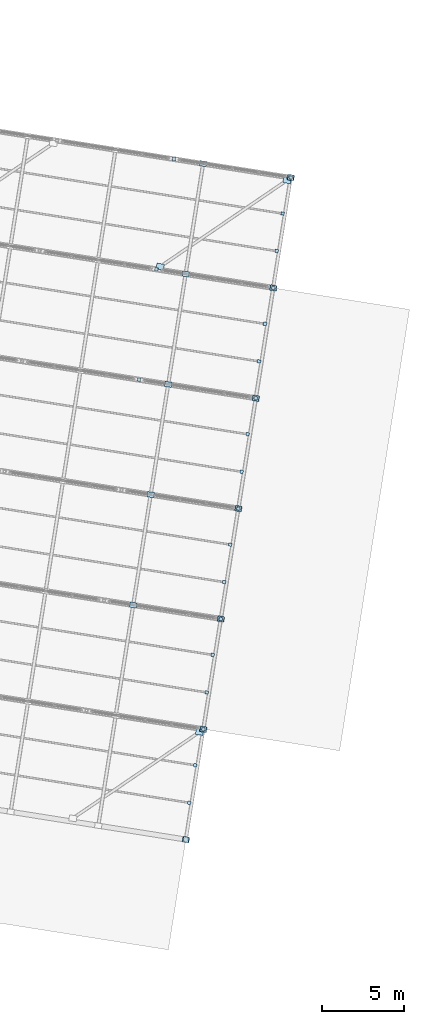
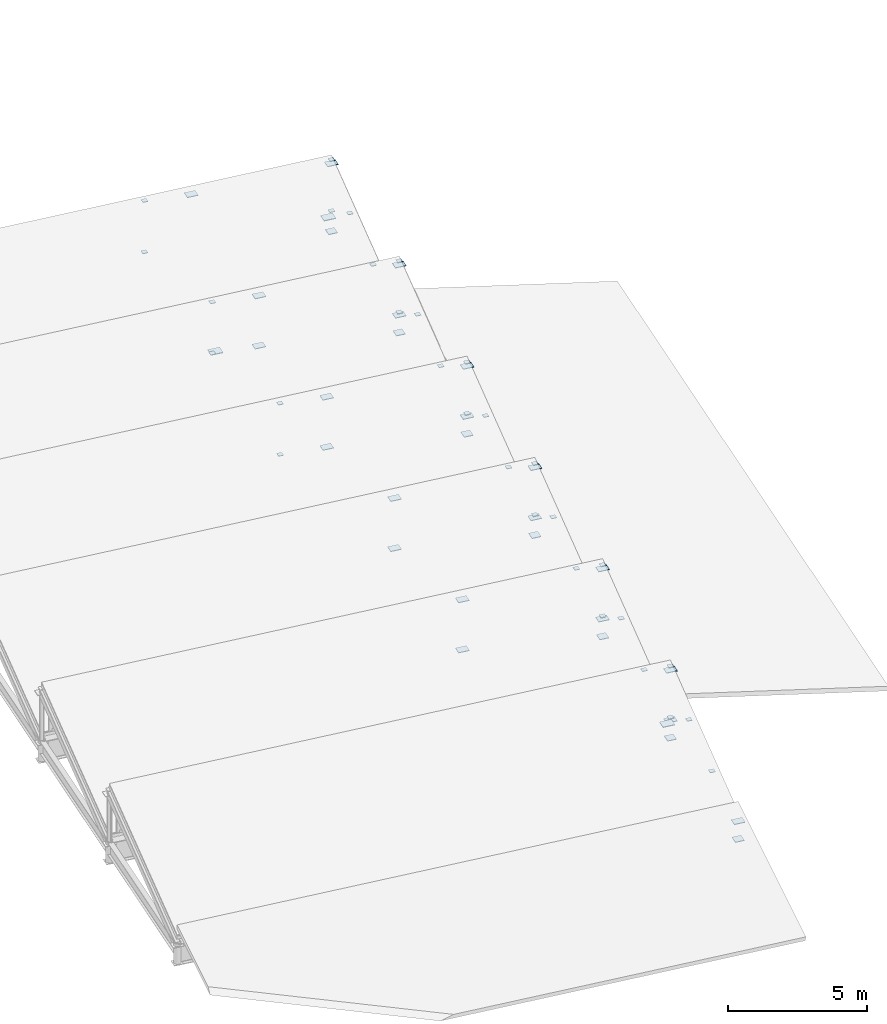
# One storey, part 63 of 65: 61 plates.
"""IFC4 building model written with IfcOpenShell, lengths in metres."""

from ifc_helpers import new_model, si_unit, direction, frame, origin, origin_2d, place, context, subcontext, project, spatial, rectangle, extrude, material, layer, layer_set, type_object, element, save


model = new_model("IFC4")

# Units and contexts
model_context = context("Model", 3, precision=1e-05, world=origin(), true_north=direction((0.0, 1.0)))
body_context = subcontext(model_context, "Body", "Model", "MODEL_VIEW")
ifc_project = project(units=[si_unit("LENGTHUNIT", "METRE"), si_unit("AREAUNIT", "SQUARE_METRE"), si_unit("VOLUMEUNIT", "CUBIC_METRE"), si_unit("PLANEANGLEUNIT", "RADIAN"), si_unit("MASSUNIT", "GRAM", prefix="KILO")], contexts=[model_context])

# Site, building, storey
site_placement = place(None, origin())
site = spatial("IfcSite", under=ifc_project, at=site_placement, CompositionType="ELEMENT")
building_placement = place(site_placement, origin())
building = spatial("IfcBuilding", under=site, at=building_placement, Name="Cinderway Yard Community Centre", CompositionType="ELEMENT")
storey_placement = place(building_placement, frame((0.0, 0.0, 24.300048828125)))
storey = spatial("IfcBuildingStorey", under=building, at=storey_placement, Name="RF", CompositionType="ELEMENT", Elevation=24.300048828125)

# Plates
ifc_material = material(Name="Steel S355", Category="steel")
ifc_layer_1 = layer(ifc_material, 0.02001953125, Name="Steel S355")
ifc_layer_set_1 = layer_set([ifc_layer_1], Name="Steel S355")
plate_type_1 = type_object("IfcPlateType", Name="STR-PLT-CAP200", PredefinedType="SHEET", material=ifc_layer_set_1)
for number, where, z_axis, x_axis, name in (
    (1, (140.39794921875, 41.3369140625, -10.510009765625), (0.0, 0.0, 1.0), (0.987688340595, -0.15643446504, 0.0), "Sawtooth post base B1-21"),
    (2, (140.39794921875, 41.3369140625, -8.260009765625), (0.0, 0.0, 1.0), (0.987688340595, -0.15643446504, 0.0), "Sawtooth post head B1-21"),
    (3, (139.537109375, 36.861083984375, -9.85400390625), (0.0, 0.0, 1.0), (0.987688340595, -0.15643446504, 0.0), "Purlin E cap B1-33"),
    (4, (139.89892578125, 39.14404296875, -9.10595703125), (0.0, 0.0, 1.0), (0.987688340595, -0.15643446504, 0.0), "Purlin E cap B1-67"),
    (5, (141.4619140625, 48.053955078125, -10.510009765625), (0.0, 0.0, 1.0), (0.987688340595, -0.15643446504, 0.0), "Sawtooth post base B2-21"),
    (6, (141.4619140625, 48.053955078125, -8.260009765625), (0.0, 0.0, 1.0), (0.987688340595, -0.15643446504, 0.0), "Sawtooth post head B2-21"),
    (7, (140.60107421875, 43.576904296875, -9.85400390625), (0.0, 0.0, 1.0), (0.987688340595, -0.15643446504, 0.0), "Purlin E cap B2-33"),
    (8, (140.9619140625, 45.861083984375, -9.10595703125), (0.0, 0.0, 1.0), (0.987688340595, -0.15643446504, 0.0), "Purlin E cap B2-67"),
    (9, (142.52490234375, 54.77001953125, -10.510009765625), (0.0, 0.0, 1.0), (0.987688340595, -0.15643446504, 0.0), "Sawtooth post base B3-21"),
    (10, (142.52490234375, 54.77001953125, -8.260009765625), (0.0, 0.0, 1.0), (0.987688340595, -0.15643446504, 0.0), "Sawtooth post head B3-21"),
    (11, (141.6640625, 50.29296875, -9.85400390625), (0.0, 0.0, 1.0), (0.987688340595, -0.15643446504, 0.0), "Purlin E cap B3-33"),
    (12, (142.02587890625, 52.576904296875, -9.10595703125), (0.0, 0.0, 1.0), (0.987688340595, -0.15643446504, 0.0), "Purlin E cap B3-67"),
    (13, (136.47802734375, 62.612060546875, -10.510009765625), (0.0, 0.0, 1.0), (0.987688340595, -0.15643446504, 0.0), "Sawtooth post base B4-14"),
    (14, (136.47802734375, 62.612060546875, -8.260009765625), (0.0, 0.0, 1.0), (0.987688340595, -0.15643446504, 0.0), "Sawtooth post head B4-14"),
    (15, (143.589111328125, 61.486083984375, -10.510009765625), (0.0, 0.0, 1.0), (0.987688340595, -0.15643446504, 0.0), "Sawtooth post base B4-21"),
    (16, (143.589111328125, 61.486083984375, -8.260009765625), (0.0, 0.0, 1.0), (0.987688340595, -0.15643446504, 0.0), "Sawtooth post head B4-21"),
    (17, (142.72802734375, 57.010009765625, -9.85400390625), (0.0, 0.0, 1.0), (0.987688340595, -0.15643446504, 0.0), "Purlin E cap B4-33"),
    (18, (143.090087890625, 59.29296875, -9.10595703125), (0.0, 0.0, 1.0), (0.987688340595, -0.15643446504, 0.0), "Purlin E cap B4-67"),
    (19, (137.541015625, 69.3291015625, -10.510009765625), (0.0, 0.0, 1.0), (0.987688340595, -0.15643446504, 0.0), "Sawtooth post base B5-14"),
    (20, (137.541015625, 69.3291015625, -8.260009765625), (0.0, 0.0, 1.0), (0.987688340595, -0.15643446504, 0.0), "Sawtooth post head B5-14"),
    (21, (144.653076171875, 68.201904296875, -10.510009765625), (0.0, 0.0, 1.0), (0.987688340595, -0.15643446504, 0.0), "Sawtooth post base B5-21"),
    (22, (144.653076171875, 68.201904296875, -8.260009765625), (0.0, 0.0, 1.0), (0.987688340595, -0.15643446504, 0.0), "Sawtooth post head B5-21"),
    (23, (143.7919921875, 63.72607421875, -9.85400390625), (0.0, 0.0, 1.0), (0.987688340595, -0.15643446504, 0.0), "Purlin E cap B5-33"),
    (24, (144.154052734375, 66.010009765625, -9.10595703125), (0.0, 0.0, 1.0), (0.987688340595, -0.15643446504, 0.0), "Purlin E cap B5-67"),
    (25, (138.60498046875, 76.044921875, -10.510009765625), (0.0, 0.0, 1.0), (0.987688340595, -0.15643446504, 0.0), "Sawtooth post base B6-14"),
    (26, (138.60498046875, 76.044921875, -8.260009765625), (0.0, 0.0, 1.0), (0.987688340595, -0.15643446504, 0.0), "Sawtooth post head B6-14"),
    (27, (145.717041015625, 74.9189453125, -10.510009765625), (0.0, 0.0, 1.0), (0.987688340595, -0.15643446504, 0.0), "Sawtooth post base B6-21"),
    (28, (145.717041015625, 74.9189453125, -8.260009765625), (0.0, 0.0, 1.0), (0.987688340595, -0.15643446504, 0.0), "Sawtooth post head B6-21"),
    (29, (144.85595703125, 70.44189453125, -9.85400390625), (0.0, 0.0, 1.0), (0.987688340595, -0.15643446504, 0.0), "Purlin E cap B6-33"),
    (30, (145.217041015625, 72.72607421875, -9.10595703125), (0.0, 0.0, 1.0), (0.987688340595, -0.15643446504, 0.0), "Purlin E cap B6-67"),
):
    element("IfcPlate", number, at=place(storey_placement, frame(where, z_axis=z_axis, x_axis=x_axis)), inside=storey, type_object=plate_type_1, Name=name, PredefinedType="SHEET", context=body_context, shape_type="SweptSolid", body=[
        extrude(rectangle(XDim=0.199951171875, YDim=0.199951171875, at=origin_2d()), origin(), (0.0, 0.0, 1.0), 0.02001953125),
    ])
ifc_layer_2 = layer(ifc_material, 0.02490234375, Name="Steel S355")
ifc_layer_set_2 = layer_set([ifc_layer_2], Name="Steel S355")
plate_type_2 = type_object("IfcPlateType", Name="STR-PLT-CAP340", PredefinedType="SHEET", material=ifc_layer_set_2)
for number, where, z_axis, x_axis, name in (
    (31, (139.333984375, 34.62109375, -11.41259765625), (0.0, 0.0, 1.0), (0.987688340595, -0.15643446504, 0.0), "Sports post base cap E01"),
    (32, (140.39794921875, 41.3369140625, -11.41259765625), (0.0, 0.0, 1.0), (0.987688340595, -0.15643446504, 0.0), "Sports post base cap E02"),
    (33, (141.4619140625, 48.053955078125, -11.41259765625), (0.0, 0.0, 1.0), (0.987688340595, -0.15643446504, 0.0), "Sports post base cap E03"),
    (34, (142.52490234375, 54.77001953125, -11.41259765625), (0.0, 0.0, 1.0), (0.987688340595, -0.15643446504, 0.0), "Sports post base cap E04"),
    (35, (143.589111328125, 61.486083984375, -11.41259765625), (0.0, 0.0, 1.0), (0.987688340595, -0.15643446504, 0.0), "Sports post base cap E05"),
    (36, (144.653076171875, 68.201904296875, -11.41259765625), (0.0, 0.0, 1.0), (0.987688340595, -0.15643446504, 0.0), "Sports post base cap E06"),
    (37, (145.717041015625, 74.9189453125, -11.41259765625), (0.0, 0.0, 1.0), (0.987688340595, -0.15643446504, 0.0), "Sports post base cap E07"),
):
    element("IfcPlate", number, at=place(storey_placement, frame(where, z_axis=z_axis, x_axis=x_axis)), inside=storey, type_object=plate_type_2, Name=name, PredefinedType="SHEET", context=body_context, shape_type="SweptSolid", body=[
        extrude(rectangle(XDim=0.35009765625, YDim=0.35009765625, at=origin_2d()), origin(), (0.0, 0.0, 1.0), 0.02490234375),
    ])
ifc_layer_3 = layer(ifc_material, 0.02392578125, Name="Steel S355")
ifc_layer_set_3 = layer_set([ifc_layer_3], Name="Steel S355")
plate_type_3 = type_object("IfcPlateType", Name="STR-PLT-GUSSET", PredefinedType="SHEET", material=ifc_layer_set_3)
for number, where, z_axis, x_axis, name in (
    (38, (139.333984375, 34.62109375, -10.632080078125), (0.0, 0.0, 1.0), (0.987688340595, -0.15643446504, 0.0), "Rafter foot cap B1-21"),
    (39, (140.39794921875, 41.3369140625, -8.43212890625), (0.0, 0.0, 1.0), (0.987688340595, -0.15643446504, 0.0), "Rafter apex cap B1-21"),
    (40, (136.1279296875, 48.89794921875, -8.43212890625), (0.0, 0.0, 1.0), (0.987688340595, -0.15643446504, 0.0), "Rafter apex cap B2-16"),
    (41, (140.39794921875, 41.3369140625, -10.632080078125), (0.0, 0.0, 1.0), (0.987688340595, -0.15643446504, 0.0), "Rafter foot cap B2-21"),
    (42, (141.4619140625, 48.053955078125, -8.43212890625), (0.0, 0.0, 1.0), (0.987688340595, -0.15643446504, 0.0), "Rafter apex cap B2-21"),
    (43, (136.1279296875, 48.89794921875, -10.632080078125), (0.0, 0.0, 1.0), (0.987688340595, -0.15643446504, 0.0), "Rafter foot cap B3-16"),
    (44, (137.19189453125, 55.614990234375, -8.43212890625), (0.0, 0.0, 1.0), (0.987688340595, -0.15643446504, 0.0), "Rafter apex cap B3-16"),
    (45, (141.4619140625, 48.053955078125, -10.632080078125), (0.0, 0.0, 1.0), (0.987688340595, -0.15643446504, 0.0), "Rafter foot cap B3-21"),
    (46, (142.52490234375, 54.77001953125, -8.43212890625), (0.0, 0.0, 1.0), (0.987688340595, -0.15643446504, 0.0), "Rafter apex cap B3-21"),
    (47, (137.19189453125, 55.614990234375, -10.632080078125), (0.0, 0.0, 1.0), (0.987688340595, -0.15643446504, 0.0), "Rafter foot cap B4-16"),
    (48, (138.256103515625, 62.3310546875, -8.43212890625), (0.0, 0.0, 1.0), (0.987688340595, -0.15643446504, 0.0), "Rafter apex cap B4-16"),
    (49, (142.52490234375, 54.77001953125, -10.632080078125), (0.0, 0.0, 1.0), (0.987688340595, -0.15643446504, 0.0), "Rafter foot cap B4-21"),
    (50, (143.589111328125, 61.486083984375, -8.43212890625), (0.0, 0.0, 1.0), (0.987688340595, -0.15643446504, 0.0), "Rafter apex cap B4-21"),
    (51, (138.256103515625, 62.3310546875, -10.632080078125), (0.0, 0.0, 1.0), (0.987688340595, -0.15643446504, 0.0), "Rafter foot cap B5-16"),
    (52, (139.319091796875, 69.047119140625, -8.43212890625), (0.0, 0.0, 1.0), (0.987688340595, -0.15643446504, 0.0), "Rafter apex cap B5-16"),
    (53, (143.589111328125, 61.486083984375, -10.632080078125), (0.0, 0.0, 1.0), (0.987688340595, -0.15643446504, 0.0), "Rafter foot cap B5-21"),
    (54, (144.653076171875, 68.201904296875, -8.43212890625), (0.0, 0.0, 1.0), (0.987688340595, -0.15643446504, 0.0), "Rafter apex cap B5-21"),
    (55, (139.319091796875, 69.047119140625, -10.632080078125), (0.0, 0.0, 1.0), (0.987688340595, -0.15643446504, 0.0), "Rafter foot cap B6-16"),
    (56, (140.383056640625, 75.762939453125, -8.43212890625), (0.0, 0.0, 1.0), (0.987688340595, -0.15643446504, 0.0), "Rafter apex cap B6-16"),
    (57, (144.653076171875, 68.201904296875, -10.632080078125), (0.0, 0.0, 1.0), (0.987688340595, -0.15643446504, 0.0), "Rafter foot cap B6-21"),
    (58, (145.717041015625, 74.9189453125, -8.43212890625), (0.0, 0.0, 1.0), (0.987688340595, -0.15643446504, 0.0), "Rafter apex cap B6-21"),
):
    element("IfcPlate", number, at=place(storey_placement, frame(where, z_axis=z_axis, x_axis=x_axis)), inside=storey, type_object=plate_type_3, Name=name, PredefinedType="SHEET", context=body_context, shape_type="SweptSolid", body=[
        extrude(rectangle(XDim=0.419921875, YDim=0.320068359375, at=origin_2d()), origin(), (0.0, 0.0, 1.0), 0.02392578125),
    ])
ifc_layer_4 = layer(ifc_material, 0.030029296875, Name="Steel S355")
ifc_layer_set_4 = layer_set([ifc_layer_4], Name="Steel S355")
plate_type_4 = type_object("IfcPlateType", Name="STR-PLT-SHOE", PredefinedType="SHEET", material=ifc_layer_set_4)
for number, where, z_axis, x_axis, name in (
    (59, (140.1689453125, 41.1708984375, -10.615234375), (0.0, 0.0, 1.0), (0.987688340595, -0.15643446504, 0.0), "Brace gusset 1EB"),
    (60, (137.77001953125, 69.4951171875, -10.615234375), (0.0, 0.0, 1.0), (0.987688340595, -0.15643446504, 0.0), "Brace gusset 6EA"),
    (61, (145.488037109375, 74.751953125, -10.615234375), (0.0, 0.0, 1.0), (0.987688340595, -0.15643446504, 0.0), "Brace gusset 6EB"),
):
    element("IfcPlate", number, at=place(storey_placement, frame(where, z_axis=z_axis, x_axis=x_axis)), inside=storey, type_object=plate_type_4, Name=name, PredefinedType="SHEET", context=body_context, shape_type="SweptSolid", body=[
        extrude(rectangle(XDim=0.4599609375, YDim=0.360107421875, at=origin_2d()), origin(), (0.0, 0.0, 1.0), 0.030029296875),
    ])

save(model, "model.ifc")
